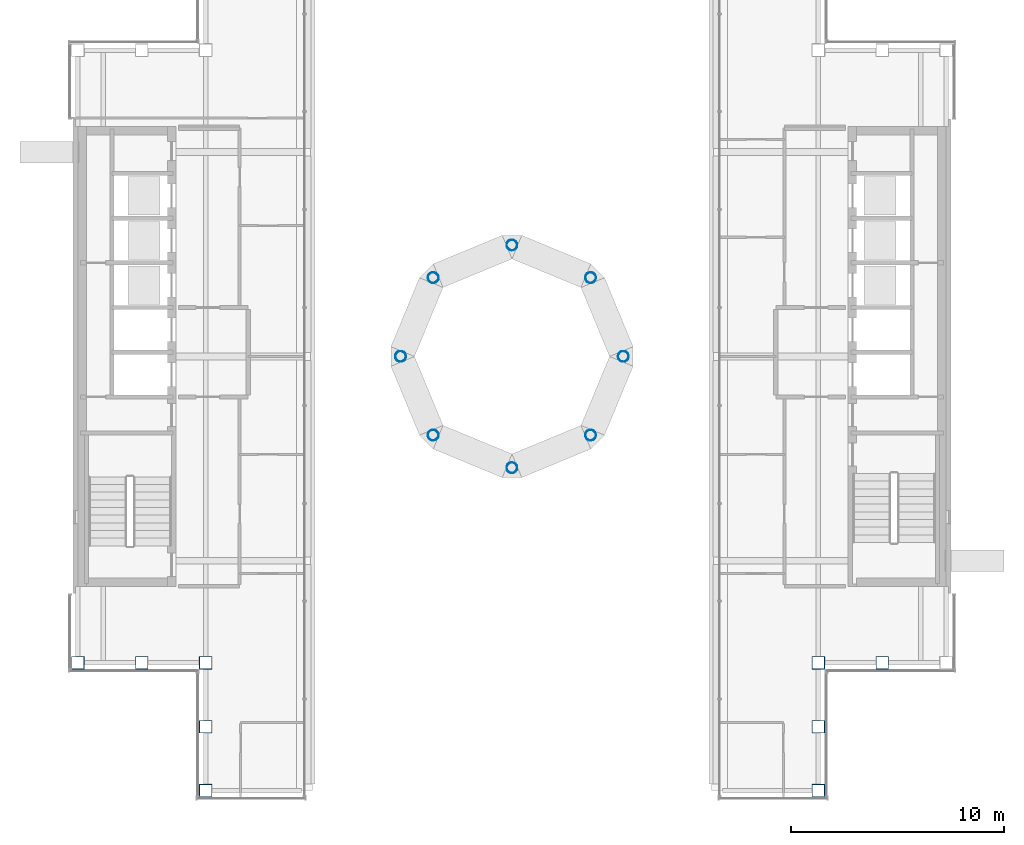
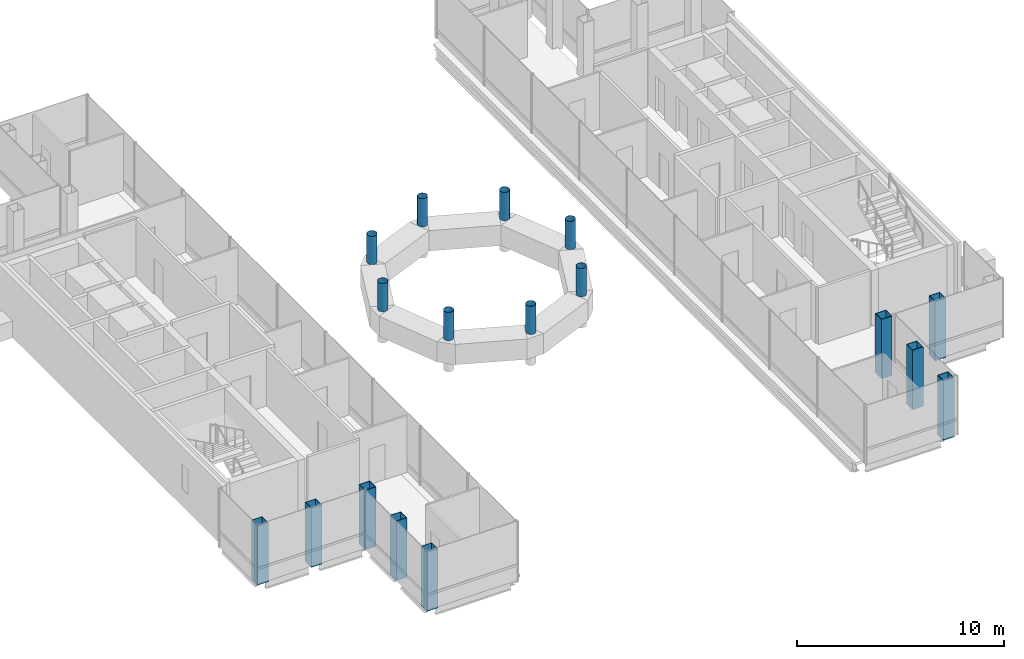
# One storey, part 1 of 21: 17 columns.
"""IFC4 building model written with IfcOpenShell, lengths in metres."""

import ifcopenshell
import ifcopenshell.guid

model = None  # the IFC model being written
_history = None  # IfcOwnerHistory: only IFC2X3 demands one
_inside = {}  # id of a spatial element -> (the spatial element, [elements in it])
_under = {}  # id of a project, library or spatial element -> (it, [spatial elements below it])
_declared = {}  # id of a project -> (the project, [libraries it declares])
_typed = {}  # id of a type object -> (the type object, [elements of that type])
_made_of = {}  # id of a material, layer set ... -> (it, [elements and type objects made of it])


def new_model(schema):
    """Start an empty IFC model of exactly this schema.

    Asked for "IFC4X3", IfcOpenShell would pick the latest addendum, in which some entities
    have other attributes; the version numbers below select the first issue.
    IFC2X3 requires an IfcOwnerHistory on every rooted entity: one is made here for all.
    """
    global model, _history
    if schema == "IFC4X3":
        model = ifcopenshell.file(schema_version=(4, 3, 0, 0))
    else:
        model = ifcopenshell.file(schema=schema)
    _inside.clear()
    _under.clear()
    _declared.clear()
    _typed.clear()
    _made_of.clear()
    _history = None
    if model.schema == "IFC2X3":
        org = make("IfcOrganization", Name="unknown")
        user = make(
            "IfcPersonAndOrganization",
            ThePerson=make("IfcPerson", FamilyName="unknown"),
            TheOrganization=org,
        )
        app = make(
            "IfcApplication",
            ApplicationDeveloper=org,
            Version="unknown",
            ApplicationFullName="unknown",
            ApplicationIdentifier="unknown",
        )
        _history = make(
            "IfcOwnerHistory",
            OwningUser=user,
            OwningApplication=app,
            ChangeAction="ADDED",
            CreationDate=0,
        )
    return model


def make(cls, **values):
    """One entity of the class cls with the attributes given. An attribute that is None is left unset."""
    return model.create_entity(
        cls, **{name: value for name, value in values.items() if value is not None}
    )


def rooted(cls, **values):
    """An entity with a GlobalId (a new one), such as an element, a storey or a relation."""
    return make(cls, GlobalId=ifcopenshell.guid.new(), OwnerHistory=_history, **values)


def si_unit(unit_type, name, prefix=None):
    """IfcSIUnit, for example si_unit("LENGTHUNIT", "METRE", prefix="MILLI")."""
    return make("IfcSIUnit", UnitType=unit_type, Prefix=prefix, Name=name)


def assignment(units):
    """IfcUnitAssignment: the units of a project."""
    return None if units is None else make("IfcUnitAssignment", Units=units)


def point(xyz):
    """IfcCartesianPoint."""
    return None if xyz is None else make("IfcCartesianPoint", Coordinates=xyz)


def direction(xyz):
    """IfcDirection."""
    return None if xyz is None else make("IfcDirection", DirectionRatios=xyz)


def frame(location, z_axis=None, x_axis=None):
    """IfcAxis2Placement3D, a coordinate frame: its origin and axes. An axis left out is left unset."""
    return make(
        "IfcAxis2Placement3D",
        Location=point(location),
        Axis=direction(z_axis),
        RefDirection=direction(x_axis),
    )


def frame_2d(location, x_axis=None):
    """IfcAxis2Placement2D, a coordinate frame in the plane: its origin and x axis."""
    return make(
        "IfcAxis2Placement2D", Location=point(location), RefDirection=direction(x_axis)
    )


def origin():
    """The frame at (0, 0, 0) with its axes left unset."""
    return frame((0.0, 0.0, 0.0))


def origin_2d():
    """The frame at (0, 0) in the plane with its x axis left unset."""
    return frame_2d((0.0, 0.0))


def place(relative_to, where):
    """IfcLocalPlacement: puts the frame where relative to a parent placement (None: the world)."""
    return make(
        "IfcLocalPlacement", PlacementRelTo=relative_to, RelativePlacement=where
    )


def context(
    kind, dimensions, precision=None, world=None, true_north=None, identifier=None
):
    """IfcGeometricRepresentationContext, for example the 3D "Model" context."""
    return make(
        "IfcGeometricRepresentationContext",
        ContextIdentifier=identifier,
        ContextType=kind,
        CoordinateSpaceDimension=dimensions,
        Precision=precision,
        WorldCoordinateSystem=world,
        TrueNorth=true_north,
    )


def subcontext(parent, identifier, kind, view, scale=None):
    """IfcGeometricRepresentationSubContext, for example "Body" below "Model"."""
    return make(
        "IfcGeometricRepresentationSubContext",
        ContextIdentifier=identifier,
        ContextType=kind,
        ParentContext=parent,
        TargetScale=scale,
        TargetView=view,
    )


def project(units=None, contexts=None):
    """IfcProject with its units and contexts."""
    return rooted(
        "IfcProject",
        Name="project",
        RepresentationContexts=contexts,
        UnitsInContext=assignment(units),
    )


def spatial(cls, under=None, at=None, **own):
    """A site, building, storey or space (cls), placed at a placement, below another one or the project."""
    s = rooted(cls, ObjectPlacement=at, **own)
    if under is not None:
        _under.setdefault(under.id(), (under, []))[1].append(s)
    return s


def profile(cls, at=None, kind="AREA", **sizes):
    """A parametric profile (cls). Its sizes go by their IFC names, for example OverallWidth=200.0."""
    return make(cls, ProfileType=kind, Position=at, **sizes)


def hollow_rectangle(**sizes):
    """IfcRectangleHollowProfileDef."""
    return profile("IfcRectangleHollowProfileDef", **sizes)


def hollow_circle(**sizes):
    """IfcCircleHollowProfileDef."""
    return profile("IfcCircleHollowProfileDef", **sizes)


def extrude(swept, where, along, depth):
    """IfcExtrudedAreaSolid: the profile swept, set in the frame where, extruded along a direction by depth."""
    return make(
        "IfcExtrudedAreaSolid",
        SweptArea=swept,
        Position=where,
        ExtrudedDirection=direction(along),
        Depth=depth,
    )


def shape(context_of_items, identifier, shape_type, items):
    """IfcShapeRepresentation: the items that make up one representation, for example the "Body"."""
    return make(
        "IfcShapeRepresentation",
        ContextOfItems=context_of_items,
        RepresentationIdentifier=identifier,
        RepresentationType=shape_type,
        Items=items,
    )


def material(Name=None, Category=None):
    """IfcMaterial."""
    return make("IfcMaterial", Name=Name, Category=Category)


def material_profile(
    of_material, cross_section, Name=None, Category=None, Priority=None
):
    """IfcMaterialProfile: a cross section and its material."""
    return make(
        "IfcMaterialProfile",
        Name=Name,
        Material=of_material,
        Profile=cross_section,
        Priority=Priority,
        Category=Category,
    )


def profile_set(profiles, Name=None, composite=None):
    """IfcMaterialProfileSet."""
    return make(
        "IfcMaterialProfileSet",
        Name=Name,
        MaterialProfiles=profiles,
        CompositeProfile=composite,
    )


def made_of(thing, what):
    """Note that an element or type object is made of a material, layer set ...; save() writes the relation."""
    if what is not None:
        _made_of.setdefault(what.id(), (what, []))[1].append(thing)
    return thing


def type_object(cls, material=None, **own):
    """A type object (cls), such as IfcWallType, which elements share."""
    return made_of(rooted(cls, **own), material)


def element(
    cls,
    number,
    at=None,
    inside=None,
    cuts=None,
    type_object=None,
    material=None,
    context=None,
    identifier="Body",
    shape_type=None,
    held_by="IfcProductDefinitionShape",
    body=None,
    shapes=None,
    **own,
):
    """One element of the class cls, such as IfcWall. Its Tag is "e" and its number.

    at: its placement. inside: the storey or other place that contains it. cuts: it is an
    opening in that element (IfcRelVoidsElement). A single representation is given by context,
    identifier, shape_type and body (its items); several are given by shapes. held_by: the class
    of the entity that holds the representations. save() writes the other relations.
    """
    e = rooted(cls, Tag="e%d" % number, ObjectPlacement=at, **own)
    if body is not None:
        shapes = [shape(context, identifier, shape_type, body)]
    if shapes is not None:
        e.Representation = make(held_by, Representations=shapes)
    if inside is not None:
        _inside.setdefault(inside.id(), (inside, []))[1].append(e)
    if cuts is not None:
        rooted(
            "IfcRelVoidsElement", RelatingBuildingElement=cuts, RelatedOpeningElement=e
        )
    if type_object is not None:
        _typed.setdefault(type_object.id(), (type_object, []))[1].append(e)
    return made_of(e, material)


def aggregate(whole, parts):
    """IfcRelAggregates: a whole, such as a stair, and the parts it consists of."""
    return rooted("IfcRelAggregates", RelatingObject=whole, RelatedObjects=parts)


def save(model, path):
    """Write the relations noted so far, then the file.

    IfcRelAggregates (storeys below a building ...), IfcRelContainedInSpatialStructure (elements
    in a storey), IfcRelDefinesByType, IfcRelAssociatesMaterial and IfcRelDeclares: one each for
    every whole, place, type object, material and project.
    """
    for whole, parts in _under.values():
        aggregate(whole, parts)
    for where, things in _inside.values():
        rooted(
            "IfcRelContainedInSpatialStructure",
            RelatedElements=things,
            RelatingStructure=where,
        )
    for kind, things in _typed.values():
        rooted("IfcRelDefinesByType", RelatedObjects=things, RelatingType=kind)
    for what, things in _made_of.values():
        rooted("IfcRelAssociatesMaterial", RelatedObjects=things, RelatingMaterial=what)
    for by, libraries in _declared.values():
        rooted("IfcRelDeclares", RelatingContext=by, RelatedDefinitions=libraries)
    model.write(path)


model = new_model("IFC4")

# Units and contexts
model_context = context("Model", 3, precision=1e-05, world=origin(), true_north=direction((0.0, 1.0)))
body_context = subcontext(model_context, "Body", "Model", "MODEL_VIEW")
ifc_project = project(units=[si_unit("LENGTHUNIT", "METRE"), si_unit("AREAUNIT", "SQUARE_METRE"), si_unit("VOLUMEUNIT", "CUBIC_METRE"), si_unit("PLANEANGLEUNIT", "RADIAN"), si_unit("MASSUNIT", "GRAM", prefix="KILO")], contexts=[model_context])

# Site, building, storey
site_placement = place(None, origin())
site = spatial("IfcSite", under=ifc_project, at=site_placement, CompositionType="ELEMENT")
building_placement = place(site_placement, origin())
building = spatial("IfcBuilding", under=site, at=building_placement, Name="Cobrizo Arcos Hotel Tower", CompositionType="ELEMENT")
storey_placement = place(building_placement, frame((0.0, 0.0, 279.5)))
storey = spatial("IfcBuildingStorey", under=building, at=storey_placement, Name="L74", CompositionType="ELEMENT", Elevation=279.5)

# Columns
ifc_material_1 = material(Name="Steel ASTM A572 Grade 50", Category="steel")
ifc_material_profile_1 = material_profile(ifc_material_1, hollow_rectangle(XDim=0.60009765625, YDim=0.60009765625, WallThickness=0.030029296875, at=origin_2d()), Name="BOX 600X600X30")
ifc_profile_set_1 = profile_set([ifc_material_profile_1], Name="Steel ASTM A572 Grade 50")
column_type_1 = type_object("IfcColumnType", Name="BOX 600X600X30 column", PredefinedType="COLUMN", material=ifc_profile_set_1)
for number, where, z_axis, x_axis, name in (
    (1, (-14.39990234375, -20.39990234375, -0.14990234375), (0.0, 0.0, 1.0), (1.0, 0.0, 0.0), "Perimeter column C12, L74, no. 01"),
    (2, (14.39990234375, -20.39990234375, -0.14990234375), (0.0, 0.0, 1.0), (1.0, 0.0, 0.0), "Perimeter column C12, L74, no. 03"),
    (3, (-20.39990234375, -14.39990234375, -0.14990234375), (0.0, 0.0, 1.0), (1.0, 0.0, 0.0), "Perimeter column C12, L74, no. 05"),
    (4, (-14.39990234375, -14.39990234375, -0.14990234375), (0.0, 0.0, 1.0), (1.0, 0.0, 0.0), "Perimeter column C12, L74, no. 08"),
    (5, (-14.39990234375, -17.39990234375, -0.14990234375), (0.0, 0.0, 1.0), (1.0, 0.0, 0.0), "Perimeter column C12, L74, no. 09"),
    (6, (-17.39990234375, -14.39990234375, -0.14990234375), (0.0, 0.0, 1.0), (1.0, 0.0, 0.0), "Perimeter column C12, L74, no. 10"),
    (7, (14.39990234375, -14.39990234375, -0.14990234375), (0.0, 0.0, 1.0), (1.0, 0.0, 0.0), "Perimeter column C12, L74, no. 14"),
    (8, (14.39990234375, -17.39990234375, -0.14990234375), (0.0, 0.0, 1.0), (1.0, 0.0, 0.0), "Perimeter column C12, L74, no. 15"),
    (9, (17.39990234375, -14.39990234375, -0.14990234375), (0.0, 0.0, 1.0), (1.0, 0.0, 0.0), "Perimeter column C12, L74, no. 16"),
):
    element("IfcColumn", number, at=place(storey_placement, frame(where, z_axis=z_axis, x_axis=x_axis)), inside=storey, type_object=column_type_1, Name=name, PredefinedType="COLUMN", context=body_context, shape_type="SweptSolid", body=[
        extrude(hollow_rectangle(XDim=0.60009765625, YDim=0.60009765625, WallThickness=0.030029296875, at=origin_2d()), origin(), (0.0, 0.0, 1.0), 3.5),
    ])
ifc_material_2 = material(Name="Steel ASTM A500 Grade C", Category="steel")
ifc_material_profile_2 = material_profile(ifc_material_2, hollow_circle(Radius=0.25390625, WallThickness=0.01171875, at=origin_2d()), Name="HSS20.000X0.500")
ifc_profile_set_2 = profile_set([ifc_material_profile_2], Name="Steel ASTM A500 Grade C")
column_type_2 = type_object("IfcColumnType", Name="HSS20.000X0.500 drum column", PredefinedType="COLUMN", material=ifc_profile_set_2)
for number, where, z_axis, x_axis, name in (
    (10, (5.232666015625, 0.0, 1.833251953125), (0.0, 0.0, 1.0), (1.0, 0.0, 0.0), "Drum column DC1, tier 2, line 0, no. 0"),
    (11, (3.699951171875, 3.699951171875, 1.833251953125), (0.0, 0.0, 1.0), (1.0, 0.0, 0.0), "Drum column DC2, tier 2, line 1, no. 0"),
    (12, (0.0, 5.232666015625, 1.833251953125), (0.0, 0.0, 1.0), (1.0, 0.0, 0.0), "Drum column DC3, tier 2, line 2, no. 0"),
    (13, (-3.699951171875, 3.699951171875, 1.833251953125), (0.0, 0.0, 1.0), (1.0, 0.0, 0.0), "Drum column DC4, tier 2, line 3, no. 0"),
    (14, (-5.232666015625, 0.0, 1.833251953125), (0.0, 0.0, 1.0), (1.0, 0.0, 0.0), "Drum column DC5, tier 2, line 4, no. 0"),
    (15, (-3.699951171875, -3.699951171875, 1.833251953125), (0.0, 0.0, 1.0), (1.0, 0.0, 0.0), "Drum column DC6, tier 2, line 5, no. 0"),
    (16, (0.0, -5.232666015625, 1.833251953125), (0.0, 0.0, 1.0), (1.0, 0.0, 0.0), "Drum column DC7, tier 2, line 6, no. 0"),
    (17, (3.699951171875, -3.699951171875, 1.833251953125), (0.0, 0.0, 1.0), (1.0, 0.0, 0.0), "Drum column DC8, tier 2, line 7, no. 0"),
):
    element("IfcColumn", number, at=place(storey_placement, frame(where, z_axis=z_axis, x_axis=x_axis)), inside=storey, type_object=column_type_2, Name=name, PredefinedType="COLUMN", context=body_context, shape_type="SweptSolid", body=[
        extrude(hollow_circle(Radius=0.25390625, WallThickness=0.01171875, at=origin_2d()), origin(), (0.0, 0.0, 1.0), 1.666748046875),
    ])

save(model, "model.ifc")
